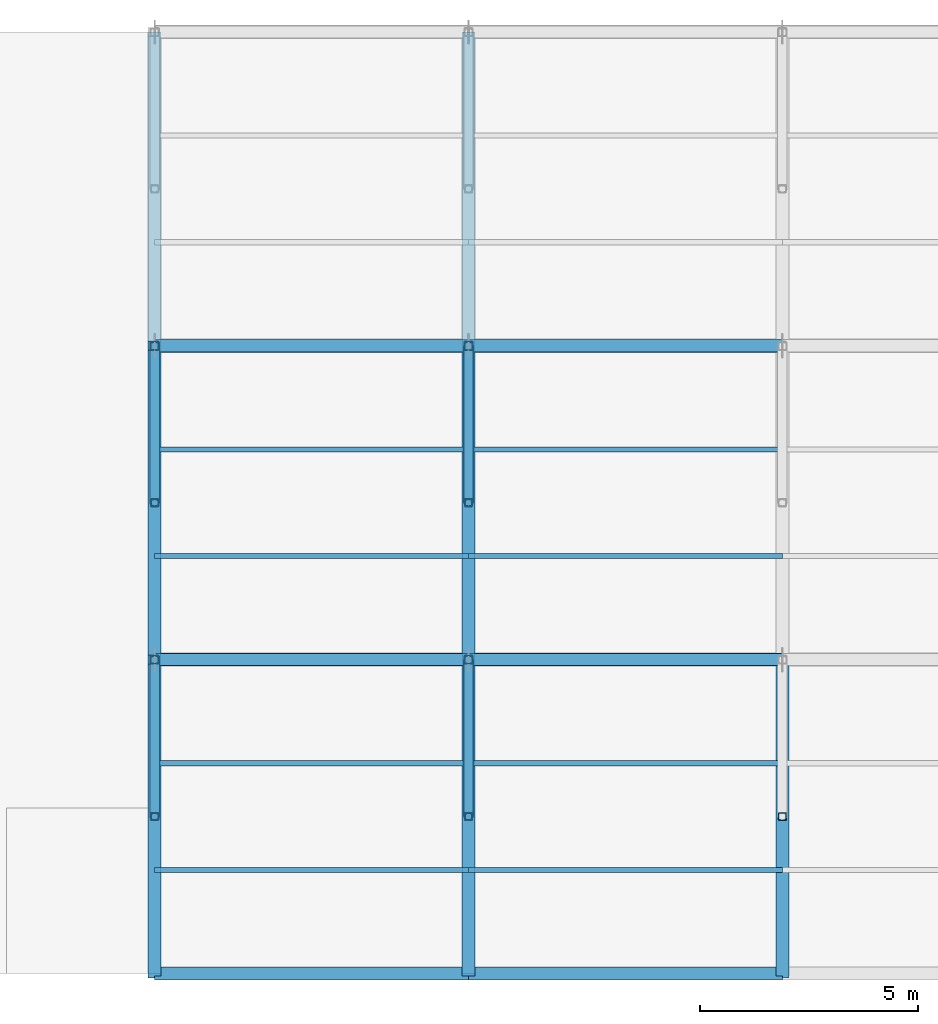
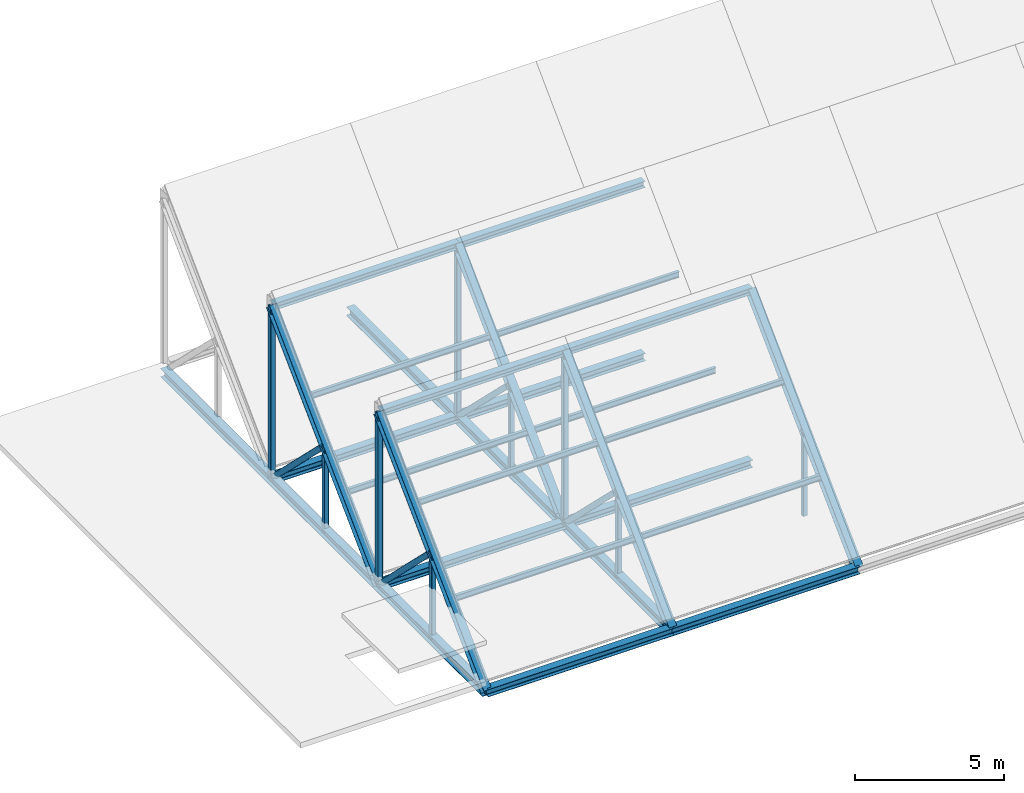
# One storey, part 1 of 7: 20 members, 18 beams.
"""IFC4 building model written with IfcOpenShell, lengths in metres."""

from ifc_helpers import new_model, si_unit, direction, frame, origin, origin_2d, place, context, subcontext, project, spatial, hollow_rectangle, hollow_circle, i_section, extrude, material, material_profile, profile_set, type_object, element, save


model = new_model("IFC4")

# Units and contexts
model_context = context("Model", 3, precision=1e-05, world=origin(), true_north=direction((0.0, 1.0)))
body_context = subcontext(model_context, "Body", "Model", "MODEL_VIEW")
ifc_project = project(units=[si_unit("LENGTHUNIT", "METRE"), si_unit("AREAUNIT", "SQUARE_METRE"), si_unit("VOLUMEUNIT", "CUBIC_METRE"), si_unit("PLANEANGLEUNIT", "RADIAN"), si_unit("MASSUNIT", "GRAM", prefix="KILO")], contexts=[model_context])

# Site, building, storey
site_placement = place(None, origin())
site = spatial("IfcSite", under=ifc_project, at=site_placement, CompositionType="ELEMENT")
building_placement = place(site_placement, origin())
building = spatial("IfcBuilding", under=site, at=building_placement, Name="Zlatovets Crest Museum", CompositionType="ELEMENT")
storey_placement = place(building_placement, frame((0.0, 0.0, 30.60009765625)))
storey = spatial("IfcBuildingStorey", under=building, at=storey_placement, Name="Roof", CompositionType="ELEMENT", Elevation=30.60009765625)

# Beams
ifc_material = material(Name="Structural steel S355J2", Category="steel")
ifc_material_profile_1 = material_profile(ifc_material, i_section(OverallWidth=0.300048828125, OverallDepth=0.31005859375, WebThickness=0.009033203125, FlangeThickness=0.015380859375, FilletRadius=0.027099609375, at=origin_2d()), Name="HEA 320")
ifc_profile_set_1 = profile_set([ifc_material_profile_1], Name="Structural steel S355J2")
beam_type_1 = type_object("IfcBeamType", Name="Beam_B-04", PredefinedType="BEAM", material=ifc_profile_set_1)
for number, where, z_axis, x_axis, name in (
    (1, (64.800048828125, 93.60009765625, -0.400146484375), (1.0, 0.0, 0.0), (0.0, 1.0, 0.0), "V1 Sawtooth South Eave Valley Girder"),
    (2, (64.800048828125, 100.800048828125, -0.400146484375), (1.0, 0.0, 0.0), (0.0, 1.0, 0.0), "V1 Sawtooth Tooth 1 Valley / Clerestory Sill Girder"),
    (3, (72.0, 93.60009765625, -0.400146484375), (1.0, 0.0, 0.0), (0.0, 1.0, 0.0), "V1 Sawtooth South Eave Valley Girder"),
    (4, (72.0, 100.800048828125, -0.400146484375), (1.0, 0.0, 0.0), (0.0, 1.0, 0.0), "V1 Sawtooth Tooth 1 Valley / Clerestory Sill Girder"),
    (5, (64.800048828125, 108.0, -0.400146484375), (1.0, 0.0, 0.0), (0.0, 1.0, 0.0), "V1 Sawtooth Tooth 2 Valley / Clerestory Sill Girder"),
    (6, (72.0, 108.0, -0.400146484375), (1.0, 0.0, 0.0), (0.0, 1.0, 0.0), "V1 Sawtooth Tooth 2 Valley / Clerestory Sill Girder"),
):
    element("IfcBeam", number, at=place(storey_placement, frame(where, z_axis=z_axis, x_axis=x_axis)), inside=storey, type_object=beam_type_1, Name=name, PredefinedType="BEAM", context=body_context, shape_type="SweptSolid", body=[
        extrude(i_section(OverallWidth=0.300048828125, OverallDepth=0.31005859375, WebThickness=0.009033203125, FlangeThickness=0.015380859375, FilletRadius=0.027099609375, at=origin_2d()), origin(), (0.0, 0.0, 1.0), 7.199951171875),
    ])
ifc_material_profile_2 = material_profile(ifc_material, i_section(OverallWidth=0.280029296875, OverallDepth=0.27001953125, WebThickness=0.008056640625, FlangeThickness=0.012939453125, FilletRadius=0.02392578125, at=origin_2d()), Name="HEA 280")
ifc_profile_set_2 = profile_set([ifc_material_profile_2], Name="Structural steel S355J2")
beam_type_2 = type_object("IfcBeamType", Name="Beam_B-05", PredefinedType="BEAM", material=ifc_profile_set_2)
for number, where, z_axis, x_axis, name in (
    (7, (64.800048828125, 100.800048828125, 6.668701171875), (1.0, 0.0, 0.0), (0.0, 1.0, 0.0), "V1 Sawtooth Tooth 1 Ridge Girder"),
    (8, (72.0, 100.800048828125, 6.668701171875), (1.0, 0.0, 0.0), (0.0, 1.0, 0.0), "V1 Sawtooth Tooth 1 Ridge Girder"),
    (9, (64.800048828125, 108.0, 6.668701171875), (1.0, 0.0, 0.0), (0.0, 1.0, 0.0), "V1 Sawtooth Tooth 2 Ridge Girder"),
    (10, (72.0, 108.0, 6.668701171875), (1.0, 0.0, 0.0), (0.0, 1.0, 0.0), "V1 Sawtooth Tooth 2 Ridge Girder"),
):
    element("IfcBeam", number, at=place(storey_placement, frame(where, z_axis=z_axis, x_axis=x_axis)), inside=storey, type_object=beam_type_2, Name=name, PredefinedType="BEAM", context=body_context, shape_type="SweptSolid", body=[
        extrude(i_section(OverallWidth=0.280029296875, OverallDepth=0.27001953125, WebThickness=0.008056640625, FlangeThickness=0.012939453125, FilletRadius=0.02392578125, at=origin_2d()), origin(), (0.0, 0.0, 1.0), 7.199951171875),
    ])
ifc_material_profile_3 = material_profile(ifc_material, i_section(OverallWidth=0.1201171875, OverallDepth=0.239990234375, WebThickness=0.006103515625, FlangeThickness=0.009765625, FilletRadius=0.014892578125, at=origin_2d()), Name="IPE 240")
ifc_profile_set_3 = profile_set([ifc_material_profile_3], Name="Structural steel S355J2")
beam_type_3 = type_object("IfcBeamType", Name="Beam_PR-01", PredefinedType="BEAM", material=ifc_profile_set_3)
for number, where, z_axis, x_axis, name in (
    (11, (64.800048828125, 95.97607421875, 1.919921875), (1.0, 0.0, 0.0), (0.0, 1.0, 0.0), "V1 Sawtooth Tooth 1 Purlin PR-01"),
    (12, (64.800048828125, 98.424072265625, 4.367919921875), (1.0, 0.0, 0.0), (0.0, 1.0, 0.0), "V1 Sawtooth Tooth 1 Purlin PR-01"),
    (13, (72.0, 95.97607421875, 1.919921875), (1.0, 0.0, 0.0), (0.0, 1.0, 0.0), "V1 Sawtooth Tooth 1 Purlin PR-01"),
    (14, (72.0, 98.424072265625, 4.367919921875), (1.0, 0.0, 0.0), (0.0, 1.0, 0.0), "V1 Sawtooth Tooth 1 Purlin PR-01"),
    (15, (64.800048828125, 103.176025390625, 1.919921875), (1.0, 0.0, 0.0), (0.0, 1.0, 0.0), "V1 Sawtooth Tooth 2 Purlin PR-01"),
    (16, (64.800048828125, 105.6240234375, 4.367919921875), (1.0, 0.0, 0.0), (0.0, 1.0, 0.0), "V1 Sawtooth Tooth 2 Purlin PR-01"),
    (17, (72.0, 103.176025390625, 1.919921875), (1.0, 0.0, 0.0), (0.0, 1.0, 0.0), "V1 Sawtooth Tooth 2 Purlin PR-01"),
    (18, (72.0, 105.6240234375, 4.367919921875), (1.0, 0.0, 0.0), (0.0, 1.0, 0.0), "V1 Sawtooth Tooth 2 Purlin PR-01"),
):
    element("IfcBeam", number, at=place(storey_placement, frame(where, z_axis=z_axis, x_axis=x_axis)), inside=storey, type_object=beam_type_3, Name=name, PredefinedType="BEAM", context=body_context, shape_type="SweptSolid", body=[
        extrude(i_section(OverallWidth=0.1201171875, OverallDepth=0.239990234375, WebThickness=0.006103515625, FlangeThickness=0.009765625, FilletRadius=0.014892578125, at=origin_2d()), origin(), (0.0, 0.0, 1.0), 7.199951171875),
    ])

# Members
ifc_material_profile_4 = material_profile(ifc_material, i_section(OverallWidth=0.300048828125, OverallDepth=0.360107421875, WebThickness=0.012451171875, FlangeThickness=0.0224609375, FilletRadius=0.027099609375, at=origin_2d()), Name="HEB 360")
ifc_profile_set_4 = profile_set([ifc_material_profile_4], Name="Structural steel S355J2")
member_type_1 = type_object("IfcMemberType", Name="Member_TM-01", PredefinedType="CHORD", material=ifc_profile_set_4)
for number, where, z_axis, x_axis, name in (
    (19, (64.800048828125, 93.60009765625, -0.400146484375), (0.0, 1.0, 0.0), (-1.0, 0.0, 0.0), "V1 Multi-Tooth Sawtooth Truss Bottom Tie Chord"),
    (20, (72.0, 93.60009765625, -0.400146484375), (0.0, 1.0, 0.0), (-1.0, 0.0, 0.0), "V1 Multi-Tooth Sawtooth Truss Bottom Tie Chord"),
):
    element("IfcMember", number, at=place(storey_placement, frame(where, z_axis=z_axis, x_axis=x_axis)), inside=storey, type_object=member_type_1, Name=name, PredefinedType="CHORD", context=body_context, shape_type="SweptSolid", body=[
        extrude(i_section(OverallWidth=0.300048828125, OverallDepth=0.360107421875, WebThickness=0.012451171875, FlangeThickness=0.0224609375, FilletRadius=0.027099609375, at=origin_2d()), origin(), (0.0, 0.0, 1.0), 21.599853515625),
    ])
ifc_material_profile_5 = material_profile(ifc_material, i_section(OverallWidth=0.300048828125, OverallDepth=0.31005859375, WebThickness=0.009033203125, FlangeThickness=0.015380859375, FilletRadius=0.027099609375, at=origin_2d()), Name="HEA 320")
ifc_profile_set_5 = profile_set([ifc_material_profile_5], Name="Structural steel S355J2")
member_type_2 = type_object("IfcMemberType", Name="Member_TM-02", PredefinedType="RAFTER", material=ifc_profile_set_5)
for number, where, z_axis, x_axis, name in (
    (21, (64.800048828125, 93.60009765625, -0.400146484375), (0.0, 0.713573647199, 0.700580223831), (-1.0, 0.0, 0.0), "V1 Sawtooth Tooth 1 Rafter Chord"),
    (22, (64.800048828125, 100.800048828125, -0.400146484375), (0.0, 0.713573647199, 0.700580223831), (-1.0, 0.0, 0.0), "V1 Sawtooth Tooth 2 Rafter Chord"),
    (23, (72.0, 93.60009765625, -0.400146484375), (0.0, 0.713573647199, 0.700580223831), (-1.0, 0.0, 0.0), "V1 Sawtooth Tooth 1 Rafter Chord"),
    (24, (72.0, 100.800048828125, -0.400146484375), (0.0, 0.713573647199, 0.700580223831), (-1.0, 0.0, 0.0), "V1 Sawtooth Tooth 2 Rafter Chord"),
    (25, (79.199951171875, 93.60009765625, -0.400146484375), (0.0, 0.713573647199, 0.700580223831), (-1.0, 0.0, 0.0), "V1 Sawtooth Tooth 1 Rafter Chord"),
):
    element("IfcMember", number, at=place(storey_placement, frame(where, z_axis=z_axis, x_axis=x_axis)), inside=storey, type_object=member_type_2, Name=name, PredefinedType="RAFTER", context=body_context, shape_type="SweptSolid", body=[
        extrude(i_section(OverallWidth=0.300048828125, OverallDepth=0.31005859375, WebThickness=0.009033203125, FlangeThickness=0.015380859375, FilletRadius=0.027099609375, at=origin_2d()), origin(), (0.0, 0.0, 1.0), 10.090087890625),
    ])
ifc_material_profile_6 = material_profile(ifc_material, hollow_rectangle(XDim=0.199951171875, YDim=0.199951171875, WallThickness=0.012451171875, InnerFilletRadius=0.012451171875, OuterFilletRadius=0.02490234375, at=origin_2d()), Name="SHS 200x200x12.5")
ifc_profile_set_6 = profile_set([ifc_material_profile_6], Name="Structural steel S355J2")
member_type_3 = type_object("IfcMemberType", Name="Member_TM-03", PredefinedType="BRACE", material=ifc_profile_set_6)
for number, where, z_axis, x_axis, name in (
    (26, (64.800048828125, 100.800048828125, -0.400146484375), (0.0, 0.0, 1.0), (1.0, 0.0, 0.0), "V1 Sawtooth Tooth 1 North-Light Post"),
    (27, (64.800048828125, 108.0, -0.400146484375), (0.0, 0.0, 1.0), (1.0, 0.0, 0.0), "V1 Sawtooth Tooth 2 North-Light Post"),
    (28, (72.0, 100.800048828125, -0.400146484375), (0.0, 0.0, 1.0), (1.0, 0.0, 0.0), "V1 Sawtooth Tooth 1 North-Light Post"),
    (29, (72.0, 108.0, -0.400146484375), (0.0, 0.0, 1.0), (1.0, 0.0, 0.0), "V1 Sawtooth Tooth 2 North-Light Post"),
):
    element("IfcMember", number, at=place(storey_placement, frame(where, z_axis=z_axis, x_axis=x_axis)), inside=storey, type_object=member_type_3, Name=name, PredefinedType="BRACE", context=body_context, shape_type="SweptSolid", body=[
        extrude(hollow_rectangle(XDim=0.199951171875, YDim=0.199951171875, WallThickness=0.012451171875, InnerFilletRadius=0.012451171875, OuterFilletRadius=0.02490234375, at=origin_2d()), origin(), (0.0, 0.0, 1.0), 7.06884765625),
    ])
ifc_material_profile_7 = material_profile(ifc_material, hollow_rectangle(XDim=0.179931640625, YDim=0.179931640625, WallThickness=0.010009765625, InnerFilletRadius=0.010009765625, OuterFilletRadius=0.02001953125, at=origin_2d()), Name="SHS 180x180x10.0")
ifc_profile_set_7 = profile_set([ifc_material_profile_7], Name="Structural steel S355J2")
member_type_4 = type_object("IfcMemberType", Name="Member_TM-04", PredefinedType="STRUT", material=ifc_profile_set_7)
for number, where, z_axis, x_axis, name in (
    (30, (64.800048828125, 97.199951171875, -0.400146484375), (0.0, 0.0, 1.0), (1.0, 0.0, 0.0), "V1 Sawtooth Tooth 1 Web Post"),
    (31, (64.800048828125, 104.39990234375, -0.400146484375), (0.0, 0.0, 1.0), (1.0, 0.0, 0.0), "V1 Sawtooth Tooth 2 Web Post"),
    (32, (72.0, 97.199951171875, -0.400146484375), (0.0, 0.0, 1.0), (1.0, 0.0, 0.0), "V1 Sawtooth Tooth 1 Web Post"),
    (33, (72.0, 104.39990234375, -0.400146484375), (0.0, 0.0, 1.0), (1.0, 0.0, 0.0), "V1 Sawtooth Tooth 2 Web Post"),
    (34, (79.199951171875, 97.199951171875, -0.400146484375), (0.0, 0.0, 1.0), (1.0, 0.0, 0.0), "V1 Sawtooth Tooth 1 Web Post"),
):
    element("IfcMember", number, at=place(storey_placement, frame(where, z_axis=z_axis, x_axis=x_axis)), inside=storey, type_object=member_type_4, Name=name, PredefinedType="STRUT", context=body_context, shape_type="SweptSolid", body=[
        extrude(hollow_rectangle(XDim=0.179931640625, YDim=0.179931640625, WallThickness=0.010009765625, InnerFilletRadius=0.010009765625, OuterFilletRadius=0.02001953125, at=origin_2d()), origin(), (0.0, 0.0, 1.0), 3.53466796875),
    ])
ifc_material_profile_8 = material_profile(ifc_material, hollow_circle(Radius=0.109619140625, WallThickness=0.010009765625, at=origin_2d()), Name="CHS 219.1x10.0")
ifc_profile_set_8 = profile_set([ifc_material_profile_8], Name="Structural steel S355J2")
member_type_5 = type_object("IfcMemberType", Name="Member_TM-05", PredefinedType="BRACE", material=ifc_profile_set_8)
for number, where, z_axis, x_axis, name in (
    (35, (64.800048828125, 97.199951171875, 3.134521484375), (0.0, 0.713561331344, -0.700592767883), (-1.0, 0.0, 0.0), "V1 Sawtooth Tooth 1 Web Diagonal"),
    (36, (64.800048828125, 104.39990234375, 3.134521484375), (0.0, 0.713561331344, -0.700592767883), (-1.0, 0.0, 0.0), "V1 Sawtooth Tooth 2 Web Diagonal"),
    (37, (72.0, 97.199951171875, 3.134521484375), (0.0, 0.713561331344, -0.700592767883), (-1.0, 0.0, 0.0), "V1 Sawtooth Tooth 1 Web Diagonal"),
    (38, (72.0, 104.39990234375, 3.134521484375), (0.0, 0.713561331344, -0.700592767883), (-1.0, 0.0, 0.0), "V1 Sawtooth Tooth 2 Web Diagonal"),
):
    element("IfcMember", number, at=place(storey_placement, frame(where, z_axis=z_axis, x_axis=x_axis)), inside=storey, type_object=member_type_5, Name=name, PredefinedType="BRACE", context=body_context, shape_type="SweptSolid", body=[
        extrude(hollow_circle(Radius=0.109619140625, WallThickness=0.010009765625, at=origin_2d()), origin(), (0.0, 0.0, 1.0), 5.045166015625),
    ])

save(model, "model.ifc")
